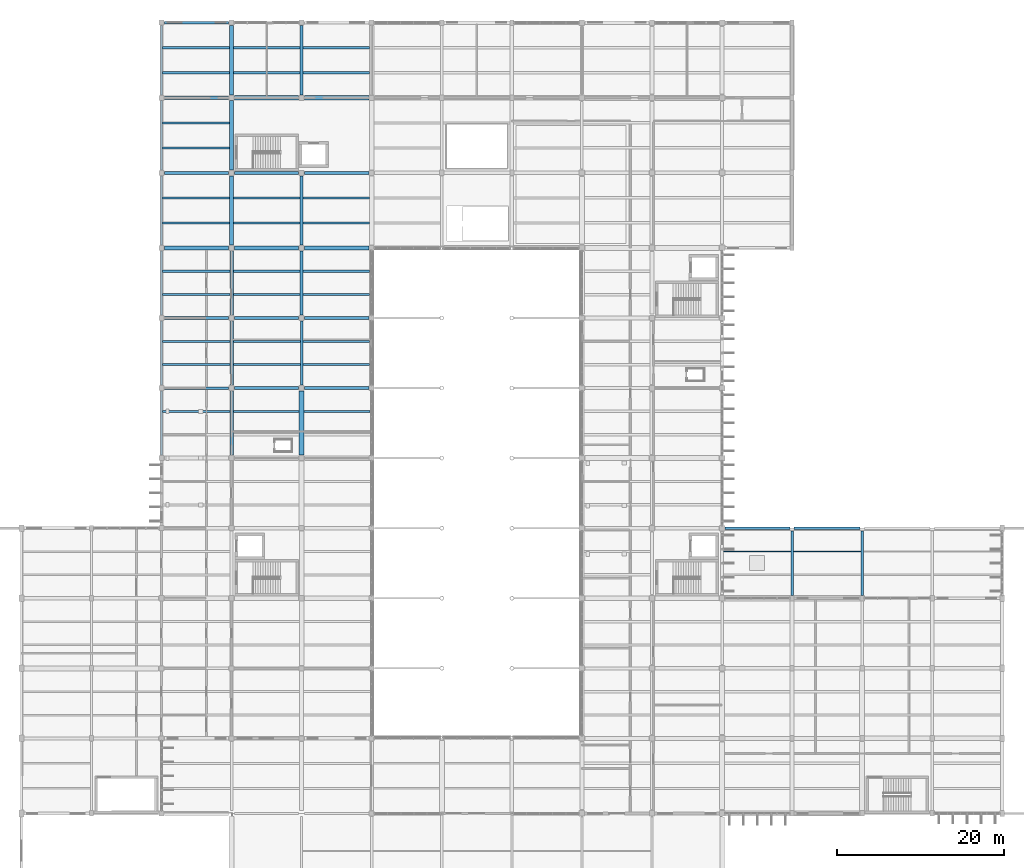
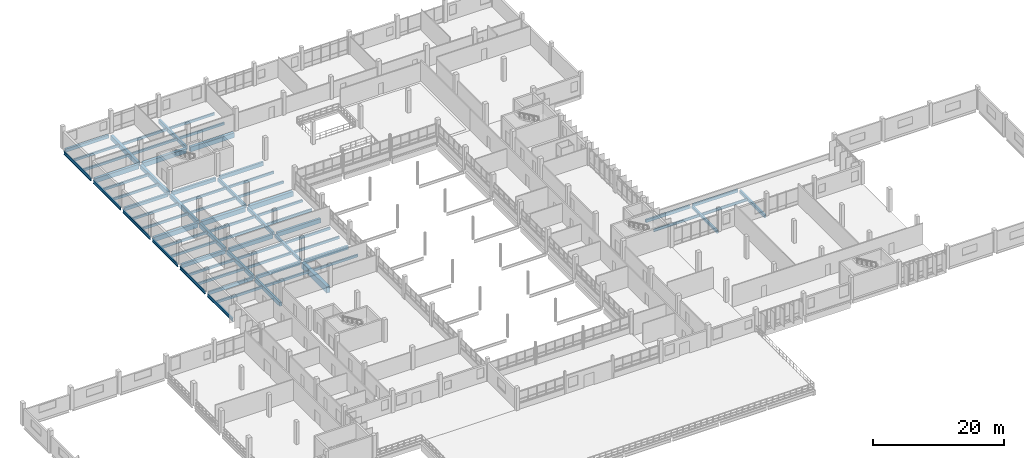
# One storey, part 43 of 101: 68 beams.
"""IFC4 building model written with IfcOpenShell, lengths in metres."""

from ifc_helpers import new_model, si_unit, direction, frame, origin, origin_2d, place, context, subcontext, project, spatial, rectangle, i_section, extrude, material, material_profile, profile_set, type_object, element, save


model = new_model("IFC4")

# Units and contexts
model_context = context("Model", 3, precision=1e-05, world=origin(), true_north=direction((0.0, 1.0)))
body_context = subcontext(model_context, "Body", "Model", "MODEL_VIEW")
ifc_project = project(units=[si_unit("LENGTHUNIT", "METRE"), si_unit("AREAUNIT", "SQUARE_METRE"), si_unit("VOLUMEUNIT", "CUBIC_METRE"), si_unit("PLANEANGLEUNIT", "RADIAN"), si_unit("MASSUNIT", "GRAM", prefix="KILO")], contexts=[model_context])

# Site, building, storey
site_placement = place(None, origin())
site = spatial("IfcSite", under=ifc_project, at=site_placement, CompositionType="ELEMENT")
building_placement = place(site_placement, origin())
building = spatial("IfcBuilding", under=site, at=building_placement, Name="Vireocrest Preparatory School", CompositionType="ELEMENT")
storey_placement = place(building_placement, frame((0.0, 0.0, 4.800048828125)))
storey = spatial("IfcBuildingStorey", under=building, at=storey_placement, Name="L01", CompositionType="ELEMENT", Elevation=4.800048828125)

# Beams
ifc_material_1 = material(Name="Structural steel ASTM A992 Grade 50", Category="steel")
ifc_material_profile_1 = material_profile(ifc_material_1, i_section(OverallWidth=0.22802734375, OverallDepth=0.60791015625, WebThickness=0.01123046875, FlangeThickness=0.017333984375, FilletRadius=0.01611328125, at=origin_2d()), Name="W24X76")
ifc_profile_set_1 = profile_set([ifc_material_profile_1], Name="Structural steel ASTM A992 Grade 50")
beam_type_1 = type_object("IfcBeamType", Name="Gallery Steel Girder W24X76", PredefinedType="BEAM", material=ifc_profile_set_1)
for number, where, z_axis, x_axis, name in (
    (1, (42.0, 60.949951171875, -0.5439453125), (0.0, 1.0, 0.0), (-1.0, 0.0, 0.0), "Primary Girder SB3 L01-0384"),
    (2, (42.0, 69.35009765625, -0.5439453125), (0.0, 1.0, 0.0), (-1.0, 0.0, 0.0), "Primary Girder SB3 L01-0385"),
    (3, (42.0, 77.75, -0.5439453125), (0.0, 1.0, 0.0), (-1.0, 0.0, 0.0), "Primary Girder SB3 L01-0386"),
):
    element("IfcBeam", number, at=place(storey_placement, frame(where, z_axis=z_axis, x_axis=x_axis)), inside=storey, type_object=beam_type_1, Name=name, PredefinedType="BEAM", context=body_context, shape_type="SweptSolid", body=[
        extrude(i_section(OverallWidth=0.22802734375, OverallDepth=0.60791015625, WebThickness=0.01123046875, FlangeThickness=0.017333984375, FilletRadius=0.01611328125, at=origin_2d()), origin(), (0.0, 0.0, 1.0), 7.699951171875),
    ])
for number, where, z_axis, x_axis, name in (
    (4, (42.0, 86.14990234375, -0.583984375), (0.0, 1.0, 0.0), (-1.0, 0.0, 0.0), "Primary Girder SB3 L01-0387"),
    (5, (42.0, 95.14990234375, -0.583984375), (0.0, 1.0, 0.0), (-1.0, 0.0, 0.0), "Primary Girder SB3 L01-0388"),
    (6, (42.0, 104.14990234375, -0.583984375), (0.0, 1.0, 0.0), (-1.0, 0.0, 0.0), "Primary Girder SB3 L01-0389"),
):
    element("IfcBeam", number, at=place(storey_placement, frame(where, z_axis=z_axis, x_axis=x_axis)), inside=storey, type_object=beam_type_1, Name=name, PredefinedType="BEAM", context=body_context, shape_type="SweptSolid", body=[
        extrude(i_section(OverallWidth=0.22802734375, OverallDepth=0.60791015625, WebThickness=0.01123046875, FlangeThickness=0.017333984375, FilletRadius=0.01611328125, at=origin_2d()), origin(), (0.0, 0.0, 1.0), 8.300048828125),
    ])
ifc_material_profile_2 = material_profile(ifc_material_1, i_section(OverallWidth=0.166015625, OverallDepth=0.529052734375, WebThickness=0.009765625, FlangeThickness=0.013671875, FilletRadius=0.014892578125, at=origin_2d()), Name="W21X50")
ifc_profile_set_2 = profile_set([ifc_material_profile_2], Name="Structural steel ASTM A992 Grade 50")
beam_type_2 = type_object("IfcBeamType", Name="Pavilion Roof Joist W21X50", PredefinedType="JOIST", material=ifc_profile_set_2)
beam_1_placement = place(storey_placement, frame((109.375, 49.39990234375, -0.484619140625), z_axis=(1.0, 0.0, 0.0), x_axis=(0.0, 1.0, 0.0)))
element("IfcBeam", 7, at=beam_1_placement, inside=storey, type_object=beam_type_2, Name="Secondary Joist SJ1 L01-0634", PredefinedType="JOIST", context=body_context, shape_type="SweptSolid", body=[
    extrude(i_section(OverallWidth=0.166015625, OverallDepth=0.529052734375, WebThickness=0.009765625, FlangeThickness=0.013671875, FilletRadius=0.014892578125, at=origin_2d()), origin(), (0.0, 0.0, 1.0), 8.074951171875),
])
beam_2_placement = place(storey_placement, frame((117.75, 49.39990234375, -0.484619140625), z_axis=(1.0, 0.0, 0.0), x_axis=(0.0, 1.0, 0.0)))
element("IfcBeam", 8, at=beam_2_placement, inside=storey, type_object=beam_type_2, Name="Secondary Joist SJ1 L01-0648", PredefinedType="JOIST", context=body_context, shape_type="SweptSolid", body=[
    extrude(i_section(OverallWidth=0.166015625, OverallDepth=0.529052734375, WebThickness=0.009765625, FlangeThickness=0.013671875, FilletRadius=0.014892578125, at=origin_2d()), origin(), (0.0, 0.0, 1.0), 8.10009765625),
])
ifc_material_2 = material(Name="Concrete 40 MPa", Category="concrete")
ifc_material_profile_3 = material_profile(ifc_material_2, rectangle(XDim=0.300048828125, YDim=0.60009765625, at=origin_2d()), Name="RC 300x600")
ifc_profile_set_3 = profile_set([ifc_material_profile_3], Name="Concrete 40 MPa")
beam_type_3 = type_object("IfcBeamType", Name="RC Classroom Beam 300x600", PredefinedType="BEAM", material=ifc_profile_set_3)
for number, where, z_axis, x_axis, name in (
    (9, (42.35009765625, 69.0, -0.5400390625), (1.0, 0.0, 0.0), (0.0, 1.0, 0.0), "Primary Girder B03 L01-0325"),
    (10, (58.800048828125, 69.35009765625, -0.5400390625), (0.0, 1.0, 0.0), (-1.0, 0.0, 0.0), "Primary Girder B03 L01-0410"),
):
    element("IfcBeam", number, at=place(storey_placement, frame(where, z_axis=z_axis, x_axis=x_axis)), inside=storey, type_object=beam_type_3, Name=name, PredefinedType="BEAM", context=body_context, shape_type="SweptSolid", body=[
        extrude(rectangle(XDim=0.300048828125, YDim=0.60009765625, at=origin_2d()), origin(), (0.0, 0.0, 1.0), 7.699951171875),
    ])
ifc_material_profile_4 = material_profile(ifc_material_2, rectangle(XDim=0.35009765625, YDim=0.60009765625, at=origin_2d()), Name="RC 350x600")
ifc_profile_set_4 = profile_set([ifc_material_profile_4], Name="Concrete 40 MPa")
beam_type_4 = type_object("IfcBeamType", Name="RC Classroom Girder 350x600", PredefinedType="BEAM", material=ifc_profile_set_4)
for number, where, z_axis, x_axis, name in (
    (11, (50.75, 69.0, -0.5400390625), (1.0, 0.0, 0.0), (0.0, 1.0, 0.0), "Primary Girder B04 L01-0326"),
    (12, (42.35009765625, 94.800048828125, -0.580078125), (1.0, 0.0, 0.0), (0.0, 1.0, 0.0), "Primary Girder B04 L01-0344"),
    (13, (42.35009765625, 112.800048828125, -0.580078125), (1.0, 0.0, 0.0), (0.0, 1.0, 0.0), "Primary Girder B04 L01-0362"),
    (14, (58.800048828125, 77.75, -0.5400390625), (0.0, 1.0, 0.0), (-1.0, 0.0, 0.0), "Primary Girder B04 L01-0411"),
):
    element("IfcBeam", number, at=place(storey_placement, frame(where, z_axis=z_axis, x_axis=x_axis)), inside=storey, type_object=beam_type_4, Name=name, PredefinedType="BEAM", context=body_context, shape_type="SweptSolid", body=[
        extrude(rectangle(XDim=0.35009765625, YDim=0.60009765625, at=origin_2d()), origin(), (0.0, 0.0, 1.0), 7.699951171875),
    ])
ifc_material_profile_5 = material_profile(ifc_material_2, rectangle(XDim=0.35009765625, YDim=0.64990234375, at=origin_2d()), Name="RC 350x650")
ifc_profile_set_5 = profile_set([ifc_material_profile_5], Name="Concrete 40 MPa")
beam_type_5 = type_object("IfcBeamType", Name="RC Classroom Girder 350x650", PredefinedType="BEAM", material=ifc_profile_set_5)
beam_3_placement = place(storey_placement, frame((59.14990234375, 69.0, -0.56494140625), z_axis=(1.0, 0.0, 0.0), x_axis=(0.0, 1.0, 0.0)))
element("IfcBeam", 15, at=beam_3_placement, inside=storey, type_object=beam_type_5, Name="Primary Girder B05 L01-0327", PredefinedType="BEAM", context=body_context, shape_type="SweptSolid", body=[
    extrude(rectangle(XDim=0.35009765625, YDim=0.64990234375, at=origin_2d()), origin(), (0.0, 0.0, 1.0), 7.7001953125),
])
beam_4_placement = place(storey_placement, frame((50.75, 94.800048828125, -0.60498046875), z_axis=(1.0, 0.0, 0.0), x_axis=(0.0, 1.0, 0.0)))
element("IfcBeam", 16, at=beam_4_placement, inside=storey, type_object=beam_type_5, Name="Primary Girder B05 L01-0345", PredefinedType="BEAM", context=body_context, shape_type="SweptSolid", body=[
    extrude(rectangle(XDim=0.35009765625, YDim=0.64990234375, at=origin_2d()), origin(), (0.0, 0.0, 1.0), 7.699951171875),
])
beam_5_placement = place(storey_placement, frame((58.800048828125, 86.14990234375, -0.60498046875), z_axis=(0.0, 1.0, 0.0), x_axis=(-1.0, 0.0, 0.0)))
element("IfcBeam", 17, at=beam_5_placement, inside=storey, type_object=beam_type_5, Name="Primary Girder B05 L01-0412", PredefinedType="BEAM", context=body_context, shape_type="SweptSolid", body=[
    extrude(rectangle(XDim=0.35009765625, YDim=0.64990234375, at=origin_2d()), origin(), (0.0, 0.0, 1.0), 8.300048828125),
])
ifc_material_profile_6 = material_profile(ifc_material_2, rectangle(XDim=0.39990234375, YDim=0.75, at=origin_2d()), Name="RC 400x750")
ifc_profile_set_6 = profile_set([ifc_material_profile_6], Name="Concrete 40 MPa")
beam_type_6 = type_object("IfcBeamType", Name="RC Commons Girder 400x750", PredefinedType="BEAM", material=ifc_profile_set_6)
for number, where, z_axis, x_axis, name in (
    (18, (50.75, 77.39990234375, -0.614990234375), (1.0, 0.0, 0.0), (0.0, 1.0, 0.0), "Primary Girder B09 L01-0331"),
    (19, (50.39990234375, 69.35009765625, -0.614990234375), (0.0, 1.0, 0.0), (-1.0, 0.0, 0.0), "Primary Girder B09 L01-0398"),
):
    element("IfcBeam", number, at=place(storey_placement, frame(where, z_axis=z_axis, x_axis=x_axis)), inside=storey, type_object=beam_type_6, Name=name, PredefinedType="BEAM", context=body_context, shape_type="SweptSolid", body=[
        extrude(rectangle(XDim=0.39990234375, YDim=0.75, at=origin_2d()), origin(), (0.0, 0.0, 1.0), 7.699951171875),
    ])
ifc_material_profile_7 = material_profile(ifc_material_2, rectangle(XDim=0.39990234375, YDim=0.699951171875, at=origin_2d()), Name="RC 400x700")
ifc_profile_set_7 = profile_set([ifc_material_profile_7], Name="Concrete 40 MPa")
beam_type_7 = type_object("IfcBeamType", Name="RC Corridor Girder 400x700", PredefinedType="BEAM", material=ifc_profile_set_7)
for number, where, z_axis, x_axis, name in (
    (20, (42.35009765625, 77.39990234375, -0.590087890625), (1.0, 0.0, 0.0), (0.0, 1.0, 0.0), "Primary Girder B08 L01-0330"),
    (21, (50.39990234375, 60.949951171875, -0.590087890625), (0.0, 1.0, 0.0), (-1.0, 0.0, 0.0), "Primary Girder B08 L01-0397"),
):
    element("IfcBeam", number, at=place(storey_placement, frame(where, z_axis=z_axis, x_axis=x_axis)), inside=storey, type_object=beam_type_7, Name=name, PredefinedType="BEAM", context=body_context, shape_type="SweptSolid", body=[
        extrude(rectangle(XDim=0.39990234375, YDim=0.699951171875, at=origin_2d()), origin(), (0.0, 0.0, 1.0), 7.699951171875),
    ])
ifc_material_profile_8 = material_profile(ifc_material_2, rectangle(XDim=0.449951171875, YDim=0.85009765625, at=origin_2d()), Name="RC 450x850")
ifc_profile_set_8 = profile_set([ifc_material_profile_8], Name="Concrete 40 MPa")
beam_type_8 = type_object("IfcBeamType", Name="RC Heavy Floor Girder 450x850", PredefinedType="BEAM", material=ifc_profile_set_8)
for number, where, z_axis, x_axis, name in (
    (22, (42.35009765625, 85.800048828125, -0.705078125), (1.0, 0.0, 0.0), (0.0, 1.0, 0.0), "Primary Girder B13 L01-0335"),
    (23, (42.35009765625, 103.800048828125, -0.705078125), (1.0, 0.0, 0.0), (0.0, 1.0, 0.0), "Primary Girder B13 L01-0353"),
):
    element("IfcBeam", number, at=place(storey_placement, frame(where, z_axis=z_axis, x_axis=x_axis)), inside=storey, type_object=beam_type_8, Name=name, PredefinedType="BEAM", context=body_context, shape_type="SweptSolid", body=[
        extrude(rectangle(XDim=0.449951171875, YDim=0.85009765625, at=origin_2d()), origin(), (0.0, 0.0, 1.0), 7.699951171875),
    ])
beam_6_placement = place(storey_placement, frame((50.39990234375, 104.14990234375, -0.705078125), z_axis=(0.0, 1.0, 0.0), x_axis=(-1.0, 0.0, 0.0)))
element("IfcBeam", 24, at=beam_6_placement, inside=storey, type_object=beam_type_8, Name="Primary Girder B13 L01-0402", PredefinedType="BEAM", context=body_context, shape_type="SweptSolid", body=[
    extrude(rectangle(XDim=0.449951171875, YDim=0.85009765625, at=origin_2d()), origin(), (0.0, 0.0, 1.0), 8.300048828125),
])
ifc_material_profile_9 = material_profile(ifc_material_2, rectangle(XDim=0.60009765625, YDim=1.14990234375, at=origin_2d()), Name="RC 600x1150")
ifc_profile_set_9 = profile_set([ifc_material_profile_9], Name="Concrete 40 MPa")
beam_type_9 = type_object("IfcBeamType", Name="RC Heavy Transfer Girder 600x1150", PredefinedType="BEAM", material=ifc_profile_set_9)
beam_7_placement = place(storey_placement, frame((58.800048828125, 60.949951171875, -0.81494140625), z_axis=(0.0, 1.0, 0.0), x_axis=(-1.0, 0.0, 0.0)))
element("IfcBeam", 25, at=beam_7_placement, inside=storey, type_object=beam_type_9, Name="Primary Girder B20 L01-0409", PredefinedType="BEAM", context=body_context, shape_type="SweptSolid", body=[
    extrude(rectangle(XDim=0.60009765625, YDim=1.14990234375, at=origin_2d()), origin(), (0.0, 0.0, 1.0), 7.699951171875),
])
ifc_material_profile_10 = material_profile(ifc_material_2, rectangle(XDim=0.35009765625, YDim=0.699951171875, at=origin_2d()), Name="RC 350x700")
ifc_profile_set_10 = profile_set([ifc_material_profile_10], Name="Concrete 40 MPa")
beam_type_10 = type_object("IfcBeamType", Name="RC Laboratory Girder 350x700", PredefinedType="BEAM", material=ifc_profile_set_10)
beam_8_placement = place(storey_placement, frame((59.14990234375, 94.800048828125, -0.630126953125), z_axis=(1.0, 0.0, 0.0), x_axis=(0.0, 1.0, 0.0)))
element("IfcBeam", 26, at=beam_8_placement, inside=storey, type_object=beam_type_10, Name="Primary Girder B06 L01-0346", PredefinedType="BEAM", context=body_context, shape_type="SweptSolid", body=[
    extrude(rectangle(XDim=0.35009765625, YDim=0.699951171875, at=origin_2d()), origin(), (0.0, 0.0, 1.0), 7.7001953125),
])
beam_9_placement = place(storey_placement, frame((58.800048828125, 104.14990234375, -0.630126953125), z_axis=(0.0, 1.0, 0.0), x_axis=(-1.0, 0.0, 0.0)))
element("IfcBeam", 27, at=beam_9_placement, inside=storey, type_object=beam_type_10, Name="Primary Girder B06 L01-0413", PredefinedType="BEAM", context=body_context, shape_type="SweptSolid", body=[
    extrude(rectangle(XDim=0.35009765625, YDim=0.699951171875, at=origin_2d()), origin(), (0.0, 0.0, 1.0), 8.300048828125),
])
ifc_material_profile_11 = material_profile(ifc_material_2, rectangle(XDim=0.39990234375, YDim=0.800048828125, at=origin_2d()), Name="RC 400x800")
ifc_profile_set_11 = profile_set([ifc_material_profile_11], Name="Concrete 40 MPa")
beam_type_11 = type_object("IfcBeamType", Name="RC Library Reading Girder 400x800", PredefinedType="BEAM", material=ifc_profile_set_11)
beam_10_placement = place(storey_placement, frame((59.14990234375, 77.39990234375, -0.64013671875), z_axis=(1.0, 0.0, 0.0), x_axis=(0.0, 1.0, 0.0)))
element("IfcBeam", 28, at=beam_10_placement, inside=storey, type_object=beam_type_11, Name="Primary Girder B10 L01-0332", PredefinedType="BEAM", context=body_context, shape_type="SweptSolid", body=[
    extrude(rectangle(XDim=0.39990234375, YDim=0.800048828125, at=origin_2d()), origin(), (0.0, 0.0, 1.0), 7.7001953125),
])
beam_11_placement = place(storey_placement, frame((50.39990234375, 77.75, -0.64013671875), z_axis=(0.0, 1.0, 0.0), x_axis=(-1.0, 0.0, 0.0)))
element("IfcBeam", 29, at=beam_11_placement, inside=storey, type_object=beam_type_11, Name="Primary Girder B10 L01-0399", PredefinedType="BEAM", context=body_context, shape_type="SweptSolid", body=[
    extrude(rectangle(XDim=0.39990234375, YDim=0.800048828125, at=origin_2d()), origin(), (0.0, 0.0, 1.0), 7.699951171875),
])
ifc_material_profile_12 = material_profile(ifc_material_2, rectangle(XDim=0.449951171875, YDim=0.75, at=origin_2d()), Name="RC 450x750")
ifc_profile_set_12 = profile_set([ifc_material_profile_12], Name="Concrete 40 MPa")
beam_type_12 = type_object("IfcBeamType", Name="RC Library Stack Girder 450x750", PredefinedType="BEAM", material=ifc_profile_set_12)
beam_12_placement = place(storey_placement, frame((50.39990234375, 86.14990234375, -0.655029296875), z_axis=(0.0, 1.0, 0.0), x_axis=(-1.0, 0.0, 0.0)))
element("IfcBeam", 30, at=beam_12_placement, inside=storey, type_object=beam_type_12, Name="Primary Girder B11 L01-0400", PredefinedType="BEAM", context=body_context, shape_type="SweptSolid", body=[
    extrude(rectangle(XDim=0.449951171875, YDim=0.75, at=origin_2d()), origin(), (0.0, 0.0, 1.0), 8.300048828125),
])
ifc_material_profile_13 = material_profile(ifc_material_2, rectangle(XDim=0.449951171875, YDim=0.800048828125, at=origin_2d()), Name="RC 450x800")
ifc_profile_set_13 = profile_set([ifc_material_profile_13], Name="Concrete 40 MPa")
beam_type_13 = type_object("IfcBeamType", Name="RC Library Stack Girder 450x800", PredefinedType="BEAM", material=ifc_profile_set_13)
beam_13_placement = place(storey_placement, frame((50.39990234375, 95.14990234375, -0.679931640625), z_axis=(0.0, 1.0, 0.0), x_axis=(-1.0, 0.0, 0.0)))
element("IfcBeam", 31, at=beam_13_placement, inside=storey, type_object=beam_type_13, Name="Primary Girder B12 L01-0401", PredefinedType="BEAM", context=body_context, shape_type="SweptSolid", body=[
    extrude(rectangle(XDim=0.449951171875, YDim=0.800048828125, at=origin_2d()), origin(), (0.0, 0.0, 1.0), 8.300048828125),
])
ifc_material_profile_14 = material_profile(ifc_material_2, rectangle(XDim=0.5, YDim=0.85009765625, at=origin_2d()), Name="RC 500x850")
ifc_profile_set_14 = profile_set([ifc_material_profile_14], Name="Concrete 40 MPa")
beam_type_14 = type_object("IfcBeamType", Name="RC Podium Girder 500x850", PredefinedType="BEAM", material=ifc_profile_set_14)
for number, where, z_axis, x_axis, name in (
    (32, (50.75, 85.800048828125, -0.705078125), (1.0, 0.0, 0.0), (0.0, 1.0, 0.0), "Primary Girder B14 L01-0336"),
    (33, (50.75, 103.800048828125, -0.705078125), (1.0, 0.0, 0.0), (0.0, 1.0, 0.0), "Primary Girder B14 L01-0354"),
):
    element("IfcBeam", number, at=place(storey_placement, frame(where, z_axis=z_axis, x_axis=x_axis)), inside=storey, type_object=beam_type_14, Name=name, PredefinedType="BEAM", context=body_context, shape_type="SweptSolid", body=[
        extrude(rectangle(XDim=0.5, YDim=0.85009765625, at=origin_2d()), origin(), (0.0, 0.0, 1.0), 7.699951171875),
    ])
ifc_material_profile_15 = material_profile(ifc_material_2, rectangle(XDim=0.5, YDim=0.89990234375, at=origin_2d()), Name="RC 500x900")
ifc_profile_set_15 = profile_set([ifc_material_profile_15], Name="Concrete 40 MPa")
beam_type_15 = type_object("IfcBeamType", Name="RC Podium Girder 500x900", PredefinedType="BEAM", material=ifc_profile_set_15)
for number, where, z_axis, x_axis, name in (
    (34, (59.14990234375, 85.800048828125, -0.72998046875), (1.0, 0.0, 0.0), (0.0, 1.0, 0.0), "Primary Girder B15 L01-0337"),
    (35, (59.14990234375, 103.800048828125, -0.72998046875), (1.0, 0.0, 0.0), (0.0, 1.0, 0.0), "Primary Girder B15 L01-0355"),
):
    element("IfcBeam", number, at=place(storey_placement, frame(where, z_axis=z_axis, x_axis=x_axis)), inside=storey, type_object=beam_type_15, Name=name, PredefinedType="BEAM", context=body_context, shape_type="SweptSolid", body=[
        extrude(rectangle(XDim=0.5, YDim=0.89990234375, at=origin_2d()), origin(), (0.0, 0.0, 1.0), 7.7001953125),
    ])
ifc_material_profile_16 = material_profile(ifc_material_2, rectangle(XDim=0.300048828125, YDim=0.5, at=origin_2d()), Name="RC 300x500")
ifc_profile_set_16 = profile_set([ifc_material_profile_16], Name="Concrete 40 MPa")
beam_type_16 = type_object("IfcBeamType", Name="RC Roof Edge Beam 300x500", PredefinedType="BEAM", material=ifc_profile_set_16)
beam_14_placement = place(storey_placement, frame((117.85009765625, 52.199951171875, -0.469970703125), z_axis=(1.0, 0.0, 0.0), x_axis=(0.0, 1.0, 0.0)))
element("IfcBeam", 36, at=beam_14_placement, inside=storey, type_object=beam_type_16, Name="Primary Girder B01 L01-0317", PredefinedType="BEAM", context=body_context, shape_type="SweptSolid", body=[
    extrude(rectangle(XDim=0.300048828125, YDim=0.5, at=origin_2d()), origin(), (0.0, 0.0, 1.0), 7.89990234375),
])
beam_15_placement = place(storey_placement, frame((117.60009765625, 44.14990234375, -0.469970703125), z_axis=(0.0, 1.0, 0.0), x_axis=(-1.0, 0.0, 0.0)))
element("IfcBeam", 37, at=beam_15_placement, inside=storey, type_object=beam_type_16, Name="Primary Girder B01 L01-0476", PredefinedType="BEAM", context=body_context, shape_type="SweptSolid", body=[
    extrude(rectangle(XDim=0.300048828125, YDim=0.5, at=origin_2d()), origin(), (0.0, 0.0, 1.0), 7.7001953125),
])
ifc_material_profile_17 = material_profile(ifc_material_2, rectangle(XDim=0.300048828125, YDim=0.550048828125, at=origin_2d()), Name="RC 300x550")
ifc_profile_set_17 = profile_set([ifc_material_profile_17], Name="Concrete 40 MPa")
beam_type_17 = type_object("IfcBeamType", Name="RC Roof Girder 300x550", PredefinedType="BEAM", material=ifc_profile_set_17)
beam_16_placement = place(storey_placement, frame((109.550048828125, 52.199951171875, -0.4951171875), z_axis=(1.0, 0.0, 0.0), x_axis=(0.0, 1.0, 0.0)))
element("IfcBeam", 38, at=beam_16_placement, inside=storey, type_object=beam_type_17, Name="Primary Girder B02 L01-0316", PredefinedType="BEAM", context=body_context, shape_type="SweptSolid", body=[
    extrude(rectangle(XDim=0.300048828125, YDim=0.550048828125, at=origin_2d()), origin(), (0.0, 0.0, 1.0), 7.800048828125),
])
beam_17_placement = place(storey_placement, frame((126.0, 44.14990234375, -0.4951171875), z_axis=(0.0, 1.0, 0.0), x_axis=(-1.0, 0.0, 0.0)))
element("IfcBeam", 39, at=beam_17_placement, inside=storey, type_object=beam_type_17, Name="Primary Girder B02 L01-0483", PredefinedType="BEAM", context=body_context, shape_type="SweptSolid", body=[
    extrude(rectangle(XDim=0.300048828125, YDim=0.550048828125, at=origin_2d()), origin(), (0.0, 0.0, 1.0), 7.7001953125),
])
ifc_material_profile_18 = material_profile(ifc_material_2, rectangle(XDim=0.25, YDim=0.449951171875, at=origin_2d()), Name="RC 250x450")
ifc_profile_set_18 = profile_set([ifc_material_profile_18], Name="Concrete 40 MPa")
beam_type_18 = type_object("IfcBeamType", Name="RC Secondary Floor Joist 250x450", PredefinedType="JOIST", material=ifc_profile_set_18)
for number, where, z_axis, x_axis, name in (
    (40, (42.114013671875, 66.199951171875, -0.465087890625), (1.0, 0.0, 0.0), (0.0, 1.0, 0.0), "Secondary Joist J01 L01-0517"),
    (41, (42.114013671875, 71.800048828125, -0.465087890625), (1.0, 0.0, 0.0), (0.0, 1.0, 0.0), "Secondary Joist J01 L01-0518"),
    (42, (42.114013671875, 74.60009765625, -0.465087890625), (1.0, 0.0, 0.0), (0.0, 1.0, 0.0), "Secondary Joist J01 L01-0519"),
    (43, (42.114013671875, 80.199951171875, -0.465087890625), (1.0, 0.0, 0.0), (0.0, 1.0, 0.0), "Secondary Joist J01 L01-0520"),
    (44, (42.114013671875, 83.0, -0.465087890625), (1.0, 0.0, 0.0), (0.0, 1.0, 0.0), "Secondary Joist J01 L01-0521"),
):
    element("IfcBeam", number, at=place(storey_placement, frame(where, z_axis=z_axis, x_axis=x_axis)), inside=storey, type_object=beam_type_18, Name=name, PredefinedType="JOIST", context=body_context, shape_type="SweptSolid", body=[
        extrude(rectangle(XDim=0.25, YDim=0.449951171875, at=origin_2d()), origin(), (0.0, 0.0, 1.0), 8.0859375),
    ])
for number, where, z_axis, x_axis, name in (
    (45, (42.114013671875, 88.800048828125, -0.505126953125), (1.0, 0.0, 0.0), (0.0, 1.0, 0.0), "Secondary Joist J01 L01-0522"),
    (46, (42.114013671875, 91.800048828125, -0.505126953125), (1.0, 0.0, 0.0), (0.0, 1.0, 0.0), "Secondary Joist J01 L01-0523"),
    (47, (42.114013671875, 97.800048828125, -0.505126953125), (1.0, 0.0, 0.0), (0.0, 1.0, 0.0), "Secondary Joist J01 L01-0524"),
    (48, (42.114013671875, 100.800048828125, -0.505126953125), (1.0, 0.0, 0.0), (0.0, 1.0, 0.0), "Secondary Joist J01 L01-0525"),
    (49, (42.114013671875, 106.800048828125, -0.505126953125), (1.0, 0.0, 0.0), (0.0, 1.0, 0.0), "Secondary Joist J01 L01-0526"),
    (50, (42.114013671875, 109.800048828125, -0.505126953125), (1.0, 0.0, 0.0), (0.0, 1.0, 0.0), "Secondary Joist J01 L01-0527"),
):
    element("IfcBeam", number, at=place(storey_placement, frame(where, z_axis=z_axis, x_axis=x_axis)), inside=storey, type_object=beam_type_18, Name=name, PredefinedType="JOIST", context=body_context, shape_type="SweptSolid", body=[
        extrude(rectangle(XDim=0.25, YDim=0.449951171875, at=origin_2d()), origin(), (0.0, 0.0, 1.0), 8.06103515625),
    ])
beam_18_placement = place(storey_placement, frame((50.60009765625, 66.199951171875, -0.465087890625), z_axis=(1.0, 0.0, 0.0), x_axis=(0.0, 1.0, 0.0)))
element("IfcBeam", 51, at=beam_18_placement, inside=storey, type_object=beam_type_18, Name="Secondary Joist J01 L01-0537", PredefinedType="JOIST", context=body_context, shape_type="SweptSolid", body=[
    extrude(rectangle(XDim=0.25, YDim=0.449951171875, at=origin_2d()), origin(), (0.0, 0.0, 1.0), 7.89990234375),
])
for number, where, z_axis, x_axis, name in (
    (52, (50.60009765625, 71.800048828125, -0.465087890625), (1.0, 0.0, 0.0), (0.0, 1.0, 0.0), "Secondary Joist J01 L01-0538"),
    (53, (50.60009765625, 74.60009765625, -0.465087890625), (1.0, 0.0, 0.0), (0.0, 1.0, 0.0), "Secondary Joist J01 L01-0539"),
):
    element("IfcBeam", number, at=place(storey_placement, frame(where, z_axis=z_axis, x_axis=x_axis)), inside=storey, type_object=beam_type_18, Name=name, PredefinedType="JOIST", context=body_context, shape_type="SweptSolid", body=[
        extrude(rectangle(XDim=0.25, YDim=0.449951171875, at=origin_2d()), origin(), (0.0, 0.0, 1.0), 8.0498046875),
    ])
for number, where, z_axis, x_axis, name in (
    (54, (50.60009765625, 80.199951171875, -0.465087890625), (1.0, 0.0, 0.0), (0.0, 1.0, 0.0), "Secondary Joist J01 L01-0540"),
    (55, (50.60009765625, 83.0, -0.465087890625), (1.0, 0.0, 0.0), (0.0, 1.0, 0.0), "Secondary Joist J01 L01-0541"),
):
    element("IfcBeam", number, at=place(storey_placement, frame(where, z_axis=z_axis, x_axis=x_axis)), inside=storey, type_object=beam_type_18, Name=name, PredefinedType="JOIST", context=body_context, shape_type="SweptSolid", body=[
        extrude(rectangle(XDim=0.25, YDim=0.449951171875, at=origin_2d()), origin(), (0.0, 0.0, 1.0), 8.02490234375),
    ])
for number, where, z_axis, x_axis, name in (
    (56, (50.625, 88.800048828125, -0.505126953125), (1.0, 0.0, 0.0), (0.0, 1.0, 0.0), "Secondary Joist J01 L01-0542"),
    (57, (50.625, 91.800048828125, -0.505126953125), (1.0, 0.0, 0.0), (0.0, 1.0, 0.0), "Secondary Joist J01 L01-0543"),
    (58, (50.625, 106.800048828125, -0.505126953125), (1.0, 0.0, 0.0), (0.0, 1.0, 0.0), "Secondary Joist J01 L01-0544"),
    (59, (50.625, 109.800048828125, -0.505126953125), (1.0, 0.0, 0.0), (0.0, 1.0, 0.0), "Secondary Joist J01 L01-0545"),
):
    element("IfcBeam", number, at=place(storey_placement, frame(where, z_axis=z_axis, x_axis=x_axis)), inside=storey, type_object=beam_type_18, Name=name, PredefinedType="JOIST", context=body_context, shape_type="SweptSolid", body=[
        extrude(rectangle(XDim=0.25, YDim=0.449951171875, at=origin_2d()), origin(), (0.0, 0.0, 1.0), 8.0),
    ])
beam_19_placement = place(storey_placement, frame((59.10009765625, 66.199951171875, -0.465087890625), z_axis=(1.0, 0.0, 0.0), x_axis=(0.0, 1.0, 0.0)))
element("IfcBeam", 60, at=beam_19_placement, inside=storey, type_object=beam_type_18, Name="Secondary Joist J01 L01-0557", PredefinedType="JOIST", context=body_context, shape_type="SweptSolid", body=[
    extrude(rectangle(XDim=0.25, YDim=0.449951171875, at=origin_2d()), origin(), (0.0, 0.0, 1.0), 7.875),
])
for number, where, z_axis, x_axis, name in (
    (61, (58.949951171875, 71.800048828125, -0.465087890625), (1.0, 0.0, 0.0), (0.0, 1.0, 0.0), "Secondary Joist J01 L01-0558"),
    (62, (58.949951171875, 74.60009765625, -0.465087890625), (1.0, 0.0, 0.0), (0.0, 1.0, 0.0), "Secondary Joist J01 L01-0559"),
):
    element("IfcBeam", number, at=place(storey_placement, frame(where, z_axis=z_axis, x_axis=x_axis)), inside=storey, type_object=beam_type_18, Name=name, PredefinedType="JOIST", context=body_context, shape_type="SweptSolid", body=[
        extrude(rectangle(XDim=0.25, YDim=0.449951171875, at=origin_2d()), origin(), (0.0, 0.0, 1.0), 8.0),
    ])
for number, where, z_axis, x_axis, name in (
    (63, (58.97509765625, 80.199951171875, -0.465087890625), (1.0, 0.0, 0.0), (0.0, 1.0, 0.0), "Secondary Joist J01 L01-0560"),
    (64, (58.97509765625, 83.0, -0.465087890625), (1.0, 0.0, 0.0), (0.0, 1.0, 0.0), "Secondary Joist J01 L01-0561"),
    (65, (58.97509765625, 88.800048828125, -0.505126953125), (1.0, 0.0, 0.0), (0.0, 1.0, 0.0), "Secondary Joist J01 L01-0562"),
    (66, (58.97509765625, 91.800048828125, -0.505126953125), (1.0, 0.0, 0.0), (0.0, 1.0, 0.0), "Secondary Joist J01 L01-0563"),
):
    element("IfcBeam", number, at=place(storey_placement, frame(where, z_axis=z_axis, x_axis=x_axis)), inside=storey, type_object=beam_type_18, Name=name, PredefinedType="JOIST", context=body_context, shape_type="SweptSolid", body=[
        extrude(rectangle(XDim=0.25, YDim=0.449951171875, at=origin_2d()), origin(), (0.0, 0.0, 1.0), 7.974853515625),
    ])
for number, where, z_axis, x_axis, name in (
    (67, (58.97509765625, 106.800048828125, -0.505126953125), (1.0, 0.0, 0.0), (0.0, 1.0, 0.0), "Secondary Joist J01 L01-0564"),
    (68, (58.97509765625, 109.800048828125, -0.505126953125), (1.0, 0.0, 0.0), (0.0, 1.0, 0.0), "Secondary Joist J01 L01-0565"),
):
    element("IfcBeam", number, at=place(storey_placement, frame(where, z_axis=z_axis, x_axis=x_axis)), inside=storey, type_object=beam_type_18, Name=name, PredefinedType="JOIST", context=body_context, shape_type="SweptSolid", body=[
        extrude(rectangle(XDim=0.25, YDim=0.449951171875, at=origin_2d()), origin(), (0.0, 0.0, 1.0), 7.949951171875),
    ])

save(model, "model.ifc")
